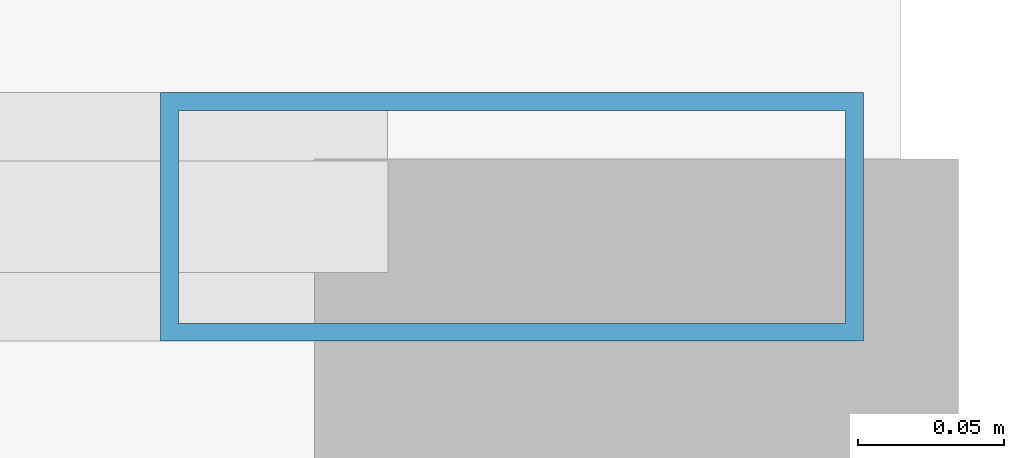
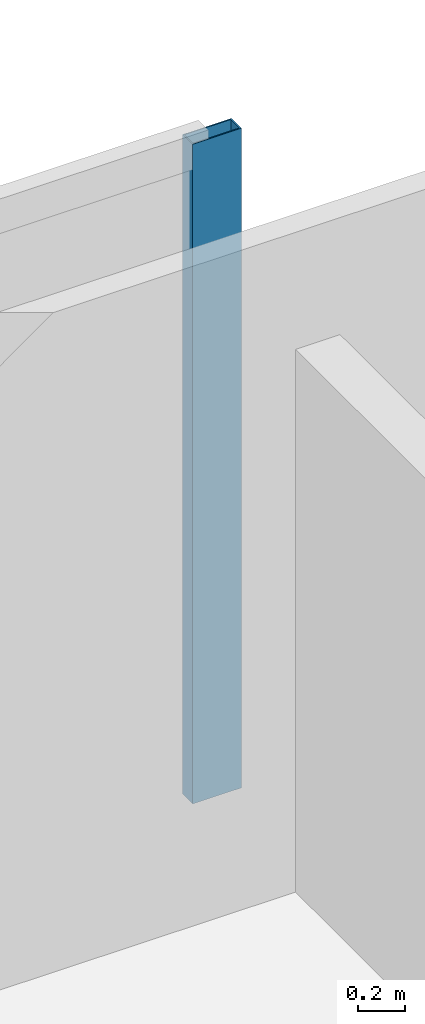
# One storey, part 24 of 31: 1 member, 1 element without a shape of its own.
"""IFC4 building model written with IfcOpenShell, lengths in metres."""

from ifc_helpers import new_model, si_unit, direction, frame, origin, origin_2d, place, context, subcontext, project, spatial, hollow_rectangle, extrude, material, material_profile, profile_set, type_object, element, aggregate, save


model = new_model("IFC4")

# Units and contexts
model_context = context("Model", 3, precision=1e-05, world=origin(), true_north=direction((0.0, 1.0)))
body_context = subcontext(model_context, "Body", "Model", "MODEL_VIEW")
ifc_project = project(units=[si_unit("LENGTHUNIT", "METRE"), si_unit("AREAUNIT", "SQUARE_METRE"), si_unit("VOLUMEUNIT", "CUBIC_METRE"), si_unit("PLANEANGLEUNIT", "RADIAN"), si_unit("MASSUNIT", "GRAM", prefix="KILO")], contexts=[model_context])

# Site, building, storey
site_placement = place(None, origin())
site = spatial("IfcSite", under=ifc_project, at=site_placement, CompositionType="ELEMENT")
building_placement = place(site_placement, origin())
building = spatial("IfcBuilding", under=site, at=building_placement, Name="Khoronbel Lancet Exchange", CompositionType="ELEMENT")
storey_placement = place(building_placement, frame((0.0, 0.0, 121.800048828125)))
storey = spatial("IfcBuildingStorey", under=building, at=storey_placement, Name="L29", CompositionType="ELEMENT", Elevation=121.800048828125)

# Curtain wall, member
ifc_material_1 = material(Name="Low-E Solar Control Insulating Glass", Category="glass")
curtain_wall_type = type_object("IfcCurtainWallType", Name="CW-2", PredefinedType="NOTDEFINED", material=ifc_material_1)
curtain_wall_placement = place(storey_placement, origin())
curtain_wall = element("IfcCurtainWall", 1, at=curtain_wall_placement, inside=storey, type_object=curtain_wall_type, Name="Unitised curtain wall CW-L29-NEFLK", PredefinedType="NOTDEFINED")
ifc_material_2 = material(Name="Bronze-Anodised Aluminium 6063-T6", Category="aluminium")
ifc_material_profile = material_profile(ifc_material_2, hollow_rectangle(XDim=0.0849609375, YDim=0.239990234375, WallThickness=0.006103515625, at=origin_2d()), Name="ALU MULLION 85x240")
ifc_profile_set = profile_set([ifc_material_profile], Name="Bronze-Anodised Aluminium 6063-T6")
member_type = type_object("IfcMemberType", Name="MEM-CWM1", PredefinedType="MULLION", material=ifc_profile_set)
member_placement = place(storey_placement, frame((65.91748046875, 53.610107421875, 0.0), z_axis=(0.0, 0.0, 1.0), x_axis=(0.0, -1.0, 0.0)))
member = element("IfcMember", 2, at=member_placement, type_object=member_type, Name="CW2 mullion 1", PredefinedType="MULLION", context=body_context, shape_type="SweptSolid", body=[
    extrude(hollow_rectangle(XDim=0.0849609375, YDim=0.239990234375, WallThickness=0.006103515625, at=origin_2d()), origin(), (0.0, 0.0, 1.0), 3.43994140625),
])
aggregate(curtain_wall, [member])

save(model, "model.ifc")
